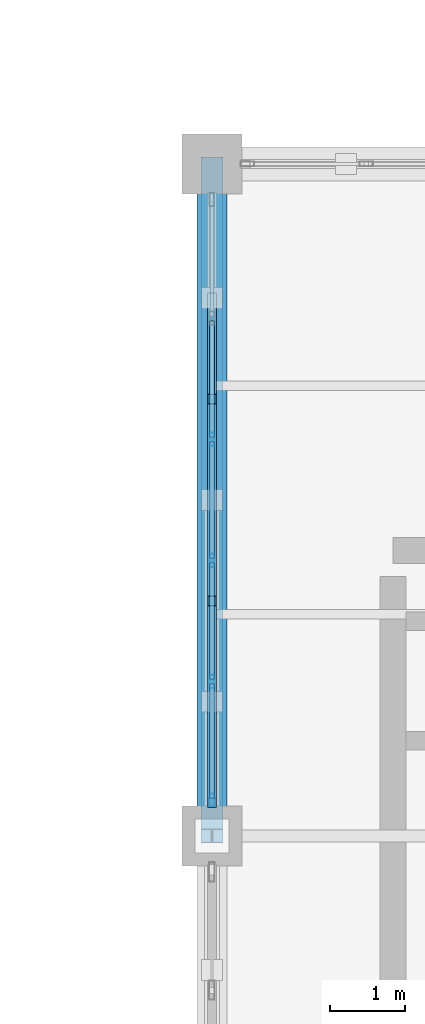
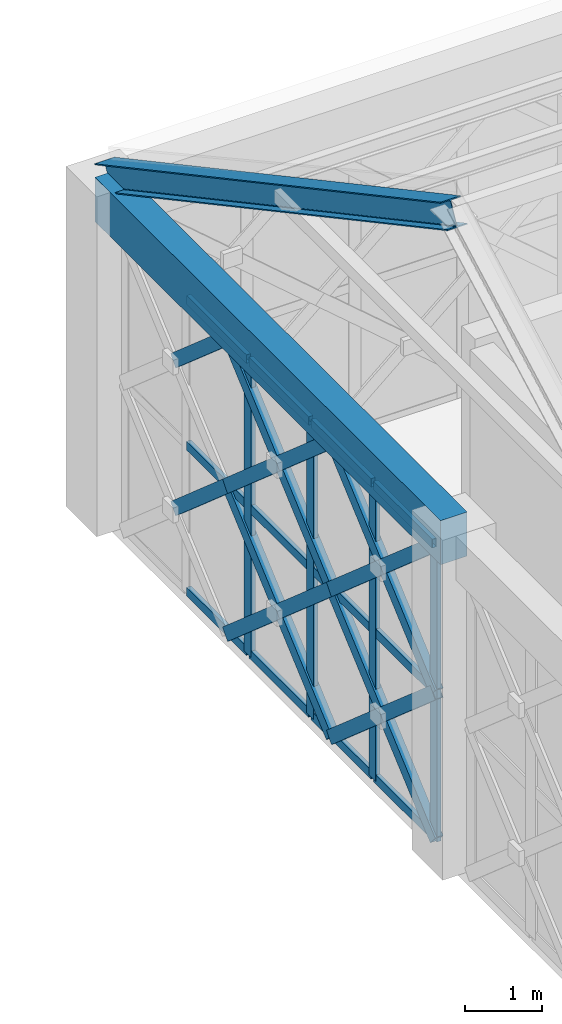
# One storey, part 26 of 86: 31 members, 1 beam, 1 element without a shape of its own.
"""IFC4 building model written with IfcOpenShell, lengths in metres."""

from ifc_helpers import new_model, si_unit, direction, frame, origin, origin_2d, place, context, subcontext, project, spatial, rectangle, hollow_rectangle, i_section, extrude, material, material_profile, profile_set, type_object, element, aggregate, save


model = new_model("IFC4")

# Units and contexts
model_context = context("Model", 3, precision=1e-05, world=origin(), true_north=direction((0.0, 1.0)))
body_context = subcontext(model_context, "Body", "Model", "MODEL_VIEW")
ifc_project = project(units=[si_unit("LENGTHUNIT", "METRE"), si_unit("AREAUNIT", "SQUARE_METRE"), si_unit("VOLUMEUNIT", "CUBIC_METRE"), si_unit("PLANEANGLEUNIT", "RADIAN"), si_unit("MASSUNIT", "GRAM", prefix="KILO")], contexts=[model_context])

# Site, building, storey
site_placement = place(None, origin())
site = spatial("IfcSite", under=ifc_project, at=site_placement, CompositionType="ELEMENT")
building_placement = place(site_placement, origin())
building = spatial("IfcBuilding", under=site, at=building_placement, Name="Haizhuo Lancet Aquarium", CompositionType="ELEMENT")
storey_placement = place(building_placement, frame((0.0, 0.0, 16.199951171875)))
storey = spatial("IfcBuildingStorey", under=building, at=storey_placement, Name="L03", CompositionType="ELEMENT", Elevation=16.199951171875)

# Beam
ifc_material_1 = material(Name="Concrete C40/50", Category="concrete")
ifc_material_profile_1 = material_profile(ifc_material_1, rectangle(XDim=0.39990234375, YDim=0.699951171875, at=origin_2d()), Name="RC-BM 400x700")
ifc_profile_set_1 = profile_set([ifc_material_profile_1], Name="Concrete C40/50")
beam_type = type_object("IfcBeamType", Name="BM-RC-400x700", PredefinedType="BEAM", material=ifc_profile_set_1)
beam_placement = place(storey_placement, frame((27.0, -18.0, 5.050048828125), z_axis=(0.0, 1.0, 0.0), x_axis=(-1.0, 0.0, 0.0)))
element("IfcBeam", 1, at=beam_placement, inside=storey, type_object=beam_type, Name="L03 V3 primary girder BM-L03-V3-005", PredefinedType="BEAM", context=body_context, shape_type="SweptSolid", body=[
    extrude(rectangle(XDim=0.39990234375, YDim=0.699951171875, at=origin_2d()), origin(), (0.0, 0.0, 1.0), 9.0),
])

# Curtain wall, members
ifc_material_2 = material(Name="Aluminium 6063-T6", Category="aluminium")
curtain_wall_type = type_object("IfcCurtainWallType", Name="CWO-8110x4700", PredefinedType="NOTDEFINED", material=ifc_material_2)
curtain_wall_placement = place(storey_placement, origin())
curtain_wall = element("IfcCurtainWall", 2, at=curtain_wall_placement, inside=storey, type_object=curtain_wall_type, Name="L03 curtain wall CW-V3-L03-082", PredefinedType="NOTDEFINED")
ifc_material_profile_2 = material_profile(ifc_material_2, hollow_rectangle(XDim=0.06494140625, YDim=0.179931640625, WallThickness=0.00390625, at=origin_2d()), Name="ALU-M 65x180x4")
ifc_profile_set_2 = profile_set([ifc_material_profile_2], Name="Aluminium 6063-T6")
member_type_1 = type_object("IfcMemberType", Name="CW-MUL-1", PredefinedType="MULLION", material=ifc_profile_set_2)
member_1_placement = place(storey_placement, frame((27.0, -17.52294921875, 0.0), z_axis=(0.0, 0.0, 1.0), x_axis=(-1.0, 0.0, 0.0)))
member_1 = element("IfcMember", 3, at=member_1_placement, type_object=member_type_1, Name="CWO-81x47 mullion 1", PredefinedType="MULLION", context=body_context, shape_type="SweptSolid", body=[
    extrude(hollow_rectangle(XDim=0.06494140625, YDim=0.179931640625, WallThickness=0.00390625, at=origin_2d()), origin(), (0.0, 0.0, 1.0), 4.699951171875),
])
member_2_placement = place(storey_placement, frame((27.0, -15.93310546875, 0.0), z_axis=(0.0, 0.0, 1.0), x_axis=(-1.0, 0.0, 0.0)))
member_2 = element("IfcMember", 4, at=member_2_placement, type_object=member_type_1, Name="CWO-81x47 mullion 2", PredefinedType="MULLION", context=body_context, shape_type="SweptSolid", body=[
    extrude(hollow_rectangle(XDim=0.06494140625, YDim=0.179931640625, WallThickness=0.00390625, at=origin_2d()), origin(), (0.0, 0.0, 1.0), 4.699951171875),
])
member_3_placement = place(storey_placement, frame((27.0, -14.31103515625, 0.0), z_axis=(0.0, 0.0, 1.0), x_axis=(-1.0, 0.0, 0.0)))
member_3 = element("IfcMember", 5, at=member_3_placement, type_object=member_type_1, Name="CWO-81x47 mullion 3", PredefinedType="MULLION", context=body_context, shape_type="SweptSolid", body=[
    extrude(hollow_rectangle(XDim=0.06494140625, YDim=0.179931640625, WallThickness=0.00390625, at=origin_2d()), origin(), (0.0, 0.0, 1.0), 4.699951171875),
])
member_4_placement = place(storey_placement, frame((27.0, -12.68896484375, 0.0), z_axis=(0.0, 0.0, 1.0), x_axis=(-1.0, 0.0, 0.0)))
member_4 = element("IfcMember", 6, at=member_4_placement, type_object=member_type_1, Name="CWO-81x47 mullion 4", PredefinedType="MULLION", context=body_context, shape_type="SweptSolid", body=[
    extrude(hollow_rectangle(XDim=0.06494140625, YDim=0.179931640625, WallThickness=0.00390625, at=origin_2d()), origin(), (0.0, 0.0, 1.0), 4.699951171875),
])
ifc_material_profile_3 = material_profile(ifc_material_2, hollow_rectangle(XDim=0.06494140625, YDim=0.139892578125, WallThickness=0.00390625, at=origin_2d()), Name="ALU-T 65x140x4")
ifc_profile_set_3 = profile_set([ifc_material_profile_3], Name="Aluminium 6063-T6")
member_type_2 = type_object("IfcMemberType", Name="CW-TRN-1", PredefinedType="NOTDEFINED", material=ifc_profile_set_3)
member_5_placement = place(storey_placement, frame((27.0, -17.489990234375, 0.031982421875), z_axis=(0.0, 1.0, 0.0), x_axis=(-1.0, 0.0, 0.0)))
member_5 = element("IfcMember", 7, at=member_5_placement, type_object=member_type_2, Name="CWO-81x47 transom 1.1", ObjectType="TRANSOM", PredefinedType="USERDEFINED", context=body_context, shape_type="SweptSolid", body=[
    extrude(hollow_rectangle(XDim=0.06494140625, YDim=0.139892578125, WallThickness=0.00390625, at=origin_2d()), origin(), (0.0, 0.0, 1.0), 1.52392578125),
])
member_6_placement = place(storey_placement, frame((27.0, -17.489990234375, 2.35009765625), z_axis=(0.0, 1.0, 0.0), x_axis=(-1.0, 0.0, 0.0)))
member_6 = element("IfcMember", 8, at=member_6_placement, type_object=member_type_2, Name="CWO-81x47 transom 1.2", ObjectType="TRANSOM", PredefinedType="USERDEFINED", context=body_context, shape_type="SweptSolid", body=[
    extrude(hollow_rectangle(XDim=0.06494140625, YDim=0.139892578125, WallThickness=0.00390625, at=origin_2d()), origin(), (0.0, 0.0, 1.0), 1.52392578125),
])
member_7_placement = place(storey_placement, frame((27.0, -17.489990234375, 4.6669921875), z_axis=(0.0, 1.0, 0.0), x_axis=(-1.0, 0.0, 0.0)))
member_7 = element("IfcMember", 9, at=member_7_placement, type_object=member_type_2, Name="CWO-81x47 transom 1.3", ObjectType="TRANSOM", PredefinedType="USERDEFINED", context=body_context, shape_type="SweptSolid", body=[
    extrude(hollow_rectangle(XDim=0.06494140625, YDim=0.139892578125, WallThickness=0.00390625, at=origin_2d()), origin(), (0.0, 0.0, 1.0), 1.52392578125),
])
member_8_placement = place(storey_placement, frame((27.0, -15.89990234375, 0.031982421875), z_axis=(0.0, 1.0, 0.0), x_axis=(-1.0, 0.0, 0.0)))
member_8 = element("IfcMember", 10, at=member_8_placement, type_object=member_type_2, Name="CWO-81x47 transom 2.1", ObjectType="TRANSOM", PredefinedType="USERDEFINED", context=body_context, shape_type="SweptSolid", body=[
    extrude(hollow_rectangle(XDim=0.06494140625, YDim=0.139892578125, WallThickness=0.00390625, at=origin_2d()), origin(), (0.0, 0.0, 1.0), 1.555908203125),
])
member_9_placement = place(storey_placement, frame((27.0, -15.89990234375, 2.35009765625), z_axis=(0.0, 1.0, 0.0), x_axis=(-1.0, 0.0, 0.0)))
member_9 = element("IfcMember", 11, at=member_9_placement, type_object=member_type_2, Name="CWO-81x47 transom 2.2", ObjectType="TRANSOM", PredefinedType="USERDEFINED", context=body_context, shape_type="SweptSolid", body=[
    extrude(hollow_rectangle(XDim=0.06494140625, YDim=0.139892578125, WallThickness=0.00390625, at=origin_2d()), origin(), (0.0, 0.0, 1.0), 1.555908203125),
])
member_10_placement = place(storey_placement, frame((27.0, -15.89990234375, 4.6669921875), z_axis=(0.0, 1.0, 0.0), x_axis=(-1.0, 0.0, 0.0)))
member_10 = element("IfcMember", 12, at=member_10_placement, type_object=member_type_2, Name="CWO-81x47 transom 2.3", ObjectType="TRANSOM", PredefinedType="USERDEFINED", context=body_context, shape_type="SweptSolid", body=[
    extrude(hollow_rectangle(XDim=0.06494140625, YDim=0.139892578125, WallThickness=0.00390625, at=origin_2d()), origin(), (0.0, 0.0, 1.0), 1.555908203125),
])
member_11_placement = place(storey_placement, frame((27.0, -14.278076171875, 0.031982421875), z_axis=(0.0, 1.0, 0.0), x_axis=(-1.0, 0.0, 0.0)))
member_11 = element("IfcMember", 13, at=member_11_placement, type_object=member_type_2, Name="CWO-81x47 transom 3.1", ObjectType="TRANSOM", PredefinedType="USERDEFINED", context=body_context, shape_type="SweptSolid", body=[
    extrude(hollow_rectangle(XDim=0.06494140625, YDim=0.139892578125, WallThickness=0.00390625, at=origin_2d()), origin(), (0.0, 0.0, 1.0), 1.55712890625),
])
member_12_placement = place(storey_placement, frame((27.0, -14.278076171875, 2.35009765625), z_axis=(0.0, 1.0, 0.0), x_axis=(-1.0, 0.0, 0.0)))
member_12 = element("IfcMember", 14, at=member_12_placement, type_object=member_type_2, Name="CWO-81x47 transom 3.2", ObjectType="TRANSOM", PredefinedType="USERDEFINED", context=body_context, shape_type="SweptSolid", body=[
    extrude(hollow_rectangle(XDim=0.06494140625, YDim=0.139892578125, WallThickness=0.00390625, at=origin_2d()), origin(), (0.0, 0.0, 1.0), 1.55712890625),
])
member_13_placement = place(storey_placement, frame((27.0, -14.278076171875, 4.6669921875), z_axis=(0.0, 1.0, 0.0), x_axis=(-1.0, 0.0, 0.0)))
member_13 = element("IfcMember", 15, at=member_13_placement, type_object=member_type_2, Name="CWO-81x47 transom 3.3", ObjectType="TRANSOM", PredefinedType="USERDEFINED", context=body_context, shape_type="SweptSolid", body=[
    extrude(hollow_rectangle(XDim=0.06494140625, YDim=0.139892578125, WallThickness=0.00390625, at=origin_2d()), origin(), (0.0, 0.0, 1.0), 1.55712890625),
])
member_14_placement = place(storey_placement, frame((27.0, -12.656982421875, 0.031982421875), z_axis=(0.0, 1.0, 0.0), x_axis=(-1.0, 0.0, 0.0)))
member_14 = element("IfcMember", 16, at=member_14_placement, type_object=member_type_2, Name="CWO-81x47 transom 4.1", ObjectType="TRANSOM", PredefinedType="USERDEFINED", context=body_context, shape_type="SweptSolid", body=[
    extrude(hollow_rectangle(XDim=0.06494140625, YDim=0.139892578125, WallThickness=0.00390625, at=origin_2d()), origin(), (0.0, 0.0, 1.0), 1.557861328125),
])
member_15_placement = place(storey_placement, frame((27.0, -12.656982421875, 2.35009765625), z_axis=(0.0, 1.0, 0.0), x_axis=(-1.0, 0.0, 0.0)))
member_15 = element("IfcMember", 17, at=member_15_placement, type_object=member_type_2, Name="CWO-81x47 transom 4.2", ObjectType="TRANSOM", PredefinedType="USERDEFINED", context=body_context, shape_type="SweptSolid", body=[
    extrude(hollow_rectangle(XDim=0.06494140625, YDim=0.139892578125, WallThickness=0.00390625, at=origin_2d()), origin(), (0.0, 0.0, 1.0), 1.557861328125),
])
member_16_placement = place(storey_placement, frame((27.0, -12.656982421875, 4.6669921875), z_axis=(0.0, 1.0, 0.0), x_axis=(-1.0, 0.0, 0.0)))
member_16 = element("IfcMember", 18, at=member_16_placement, type_object=member_type_2, Name="CWO-81x47 transom 4.3", ObjectType="TRANSOM", PredefinedType="USERDEFINED", context=body_context, shape_type="SweptSolid", body=[
    extrude(hollow_rectangle(XDim=0.06494140625, YDim=0.139892578125, WallThickness=0.00390625, at=origin_2d()), origin(), (0.0, 0.0, 1.0), 1.557861328125),
])
aggregate(curtain_wall, [member_1, member_2, member_3, member_4, member_5, member_6, member_7, member_8, member_9, member_10, member_11, member_12, member_13, member_14, member_15, member_16])

# Members
ifc_material_3 = material(Name="Steel S355", Category="steel")
ifc_material_profile_4 = material_profile(ifc_material_3, hollow_rectangle(XDim=0.1201171875, YDim=0.199951171875, WallThickness=0.008056640625, at=origin_2d()), Name="RHS 120x200x8")
ifc_profile_set_4 = profile_set([ifc_material_profile_4], Name="Steel S355")
member_type_3 = type_object("IfcMemberType", Name="MEM-LB-RHS120x200", PredefinedType="BRACE", material=ifc_profile_set_4)
member_17_placement = place(storey_placement, frame((27.0, -17.554931640625, 0.0), z_axis=(0.0, 0.754637805349, 0.656141587417), x_axis=(-1.0, 0.0, 0.0)))
element("IfcMember", 19, at=member_17_placement, inside=storey, type_object=member_type_3, Name="Gothic lancet continuous diagonal brace CW-V3-L03-082 1A", PredefinedType="BRACE", context=body_context, shape_type="SweptSolid", body=[
    extrude(hollow_rectangle(XDim=0.1201171875, YDim=0.199951171875, WallThickness=0.008056640625, at=origin_2d()), origin(), (0.0, 0.0, 1.0), 3.581787109375),
])
member_18_placement = place(storey_placement, frame((27.0, -14.85205078125, 0.0), z_axis=(0.0, -0.754491019428, 0.656310369873), x_axis=(1.0, 0.0, 0.0)))
element("IfcMember", 20, at=member_18_placement, inside=storey, type_object=member_type_3, Name="Gothic lancet split diagonal brace CW-V3-L03-082 1B1", PredefinedType="BRACE", context=body_context, shape_type="SweptSolid", body=[
    extrude(hollow_rectangle(XDim=0.1201171875, YDim=0.199951171875, WallThickness=0.008056640625, at=origin_2d()), origin(), (0.0, 0.0, 1.0), 1.790283203125),
])
member_19_placement = place(storey_placement, frame((27.0, -16.202880859375, 1.175048828125), z_axis=(0.0, -0.754784478057, 0.655972858954), x_axis=(1.0, 0.0, 0.0)))
element("IfcMember", 21, at=member_19_placement, inside=storey, type_object=member_type_3, Name="Gothic lancet split diagonal brace CW-V3-L03-082 1B2", PredefinedType="BRACE", context=body_context, shape_type="SweptSolid", body=[
    extrude(hollow_rectangle(XDim=0.1201171875, YDim=0.199951171875, WallThickness=0.008056640625, at=origin_2d()), origin(), (0.0, 0.0, 1.0), 1.791259765625),
])
member_20_placement = place(storey_placement, frame((27.0, -17.554931640625, 2.35009765625), z_axis=(0.0, 0.754671556952, 0.6561027672), x_axis=(-1.0, 0.0, 0.0)))
element("IfcMember", 22, at=member_20_placement, inside=storey, type_object=member_type_3, Name="Gothic lancet continuous diagonal brace CW-V3-L03-082 2A", PredefinedType="BRACE", context=body_context, shape_type="SweptSolid", body=[
    extrude(hollow_rectangle(XDim=0.1201171875, YDim=0.199951171875, WallThickness=0.008056640625, at=origin_2d()), origin(), (0.0, 0.0, 1.0), 3.58154296875),
])
member_21_placement = place(storey_placement, frame((27.0, -14.85205078125, 2.35009765625), z_axis=(0.0, -0.754491019428, 0.656310369873), x_axis=(1.0, 0.0, 0.0)))
element("IfcMember", 23, at=member_21_placement, inside=storey, type_object=member_type_3, Name="Gothic lancet split diagonal brace CW-V3-L03-082 2B1", PredefinedType="BRACE", context=body_context, shape_type="SweptSolid", body=[
    extrude(hollow_rectangle(XDim=0.1201171875, YDim=0.199951171875, WallThickness=0.008056640625, at=origin_2d()), origin(), (0.0, 0.0, 1.0), 1.790283203125),
])
member_22_placement = place(storey_placement, frame((27.0, -16.202880859375, 3.525146484375), z_axis=(0.0, -0.754851960681, 0.655895203105), x_axis=(1.0, 0.0, 0.0)))
element("IfcMember", 24, at=member_22_placement, inside=storey, type_object=member_type_3, Name="Gothic lancet split diagonal brace CW-V3-L03-082 2B2", PredefinedType="BRACE", context=body_context, shape_type="SweptSolid", body=[
    extrude(hollow_rectangle(XDim=0.1201171875, YDim=0.199951171875, WallThickness=0.008056640625, at=origin_2d()), origin(), (0.0, 0.0, 1.0), 1.791259765625),
])
member_23_placement = place(storey_placement, frame((27.0, -14.85205078125, 0.0), z_axis=(0.0, 0.754784478057, 0.655972858954), x_axis=(-1.0, 0.0, 0.0)))
element("IfcMember", 25, at=member_23_placement, inside=storey, type_object=member_type_3, Name="Gothic lancet continuous diagonal brace CW-V3-L03-082 3A", PredefinedType="BRACE", context=body_context, shape_type="SweptSolid", body=[
    extrude(hollow_rectangle(XDim=0.1201171875, YDim=0.199951171875, WallThickness=0.008056640625, at=origin_2d()), origin(), (0.0, 0.0, 1.0), 3.58251953125),
])
for number, where, z_axis, x_axis, name in (
    (26, (27.0, -12.14794921875, 0.0), (0.0, -0.754784478057, 0.655972858954), (1.0, 0.0, 0.0), "Gothic lancet split diagonal brace CW-V3-L03-082 3B1"),
    (27, (27.0, -13.5, 1.175048828125), (0.0, -0.754784478057, 0.655972858954), (1.0, 0.0, 0.0), "Gothic lancet split diagonal brace CW-V3-L03-082 3B2"),
):
    element("IfcMember", number, at=place(storey_placement, frame(where, z_axis=z_axis, x_axis=x_axis)), inside=storey, type_object=member_type_3, Name=name, PredefinedType="BRACE", context=body_context, shape_type="SweptSolid", body=[
        extrude(hollow_rectangle(XDim=0.1201171875, YDim=0.199951171875, WallThickness=0.008056640625, at=origin_2d()), origin(), (0.0, 0.0, 1.0), 1.791259765625),
    ])
member_24_placement = place(storey_placement, frame((27.0, -14.85205078125, 2.35009765625), z_axis=(0.0, 0.754818218859, 0.655934033633), x_axis=(-1.0, 0.0, 0.0)))
element("IfcMember", 28, at=member_24_placement, inside=storey, type_object=member_type_3, Name="Gothic lancet continuous diagonal brace CW-V3-L03-082 4A", PredefinedType="BRACE", context=body_context, shape_type="SweptSolid", body=[
    extrude(hollow_rectangle(XDim=0.1201171875, YDim=0.199951171875, WallThickness=0.008056640625, at=origin_2d()), origin(), (0.0, 0.0, 1.0), 3.58251953125),
])
for number, where, z_axis, x_axis, name in (
    (29, (27.0, -12.14794921875, 2.35009765625), (0.0, -0.754784478057, 0.655972858954), (1.0, 0.0, 0.0), "Gothic lancet split diagonal brace CW-V3-L03-082 4B1"),
    (30, (27.0, -13.5, 3.525146484375), (0.0, -0.754851960681, 0.655895203105), (1.0, 0.0, 0.0), "Gothic lancet split diagonal brace CW-V3-L03-082 4B2"),
    (31, (27.0, -10.7958984375, 1.175048828125), (0.0, -0.754784478057, 0.655972858954), (1.0, 0.0, 0.0), "Gothic lancet split diagonal brace CW-V3-L03-082 5B2"),
    (32, (27.0, -10.7958984375, 3.525146484375), (0.0, -0.754851960681, 0.655895203105), (1.0, 0.0, 0.0), "Gothic lancet split diagonal brace CW-V3-L03-082 6B2"),
):
    element("IfcMember", number, at=place(storey_placement, frame(where, z_axis=z_axis, x_axis=x_axis)), inside=storey, type_object=member_type_3, Name=name, PredefinedType="BRACE", context=body_context, shape_type="SweptSolid", body=[
        extrude(hollow_rectangle(XDim=0.1201171875, YDim=0.199951171875, WallThickness=0.008056640625, at=origin_2d()), origin(), (0.0, 0.0, 1.0), 1.791259765625),
    ])
ifc_material_profile_5 = material_profile(ifc_material_3, i_section(OverallWidth=0.300048828125, OverallDepth=0.389892578125, WebThickness=0.010009765625, FlangeThickness=0.01611328125, FilletRadius=0.02001953125, at=origin_2d()), Name="HM 390x300x10x16")
ifc_profile_set_5 = profile_set([ifc_material_profile_5], Name="Steel S355")
member_type_4 = type_object("IfcMemberType", Name="MEM-RF-HM390", PredefinedType="RAFTER", material=ifc_profile_set_5)
member_25_placement = place(storey_placement, frame((27.0, -9.0, 5.3701171875), z_axis=(0.0, -0.880479536064, 0.474084155581), x_axis=(1.0, 0.0, 0.0)))
element("IfcMember", 33, at=member_25_placement, inside=storey, type_object=member_type_4, Name="V3 Gothic pitched roof north rafter 1", PredefinedType="RAFTER", context=body_context, shape_type="SweptSolid", body=[
    extrude(i_section(OverallWidth=0.300048828125, OverallDepth=0.389892578125, WebThickness=0.010009765625, FlangeThickness=0.01611328125, FilletRadius=0.02001953125, at=origin_2d()), origin(), (0.0, 0.0, 1.0), 10.2216796875),
])

save(model, "model.ifc")
